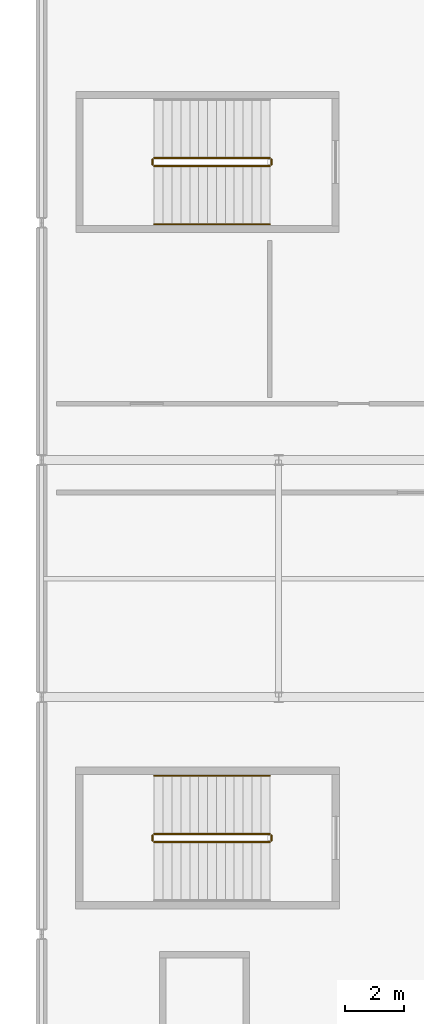
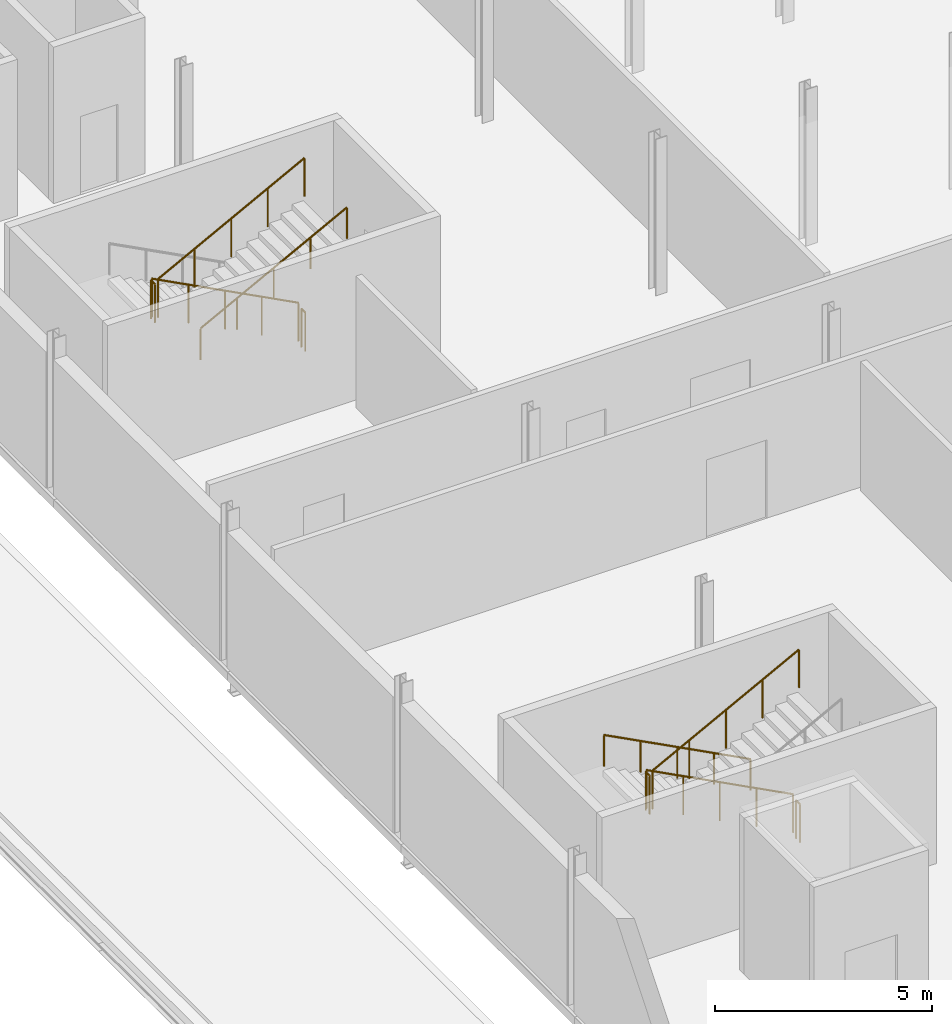
# One storey, part 148 of 153: 10 railings.
"""IFC4 building model written with IfcOpenShell, lengths in metres."""

from ifc_helpers import new_model, si_unit, derived_unit, direction, frame, origin, origin_2d, place, context, subcontext, project, spatial, circle, extrude, material, type_object, element, save


model = new_model("IFC4")

# Units and contexts
model_context = context("Model", 3, precision=1e-05, world=origin(), true_north=direction((0.0, 1.0)))
body_context = subcontext(model_context, "Body", "Model", "MODEL_VIEW")
ifc_project = project(units=[si_unit("LENGTHUNIT", "METRE"), si_unit("AREAUNIT", "SQUARE_METRE"), si_unit("VOLUMEUNIT", "CUBIC_METRE"), si_unit("PLANEANGLEUNIT", "RADIAN"), si_unit("MASSUNIT", "GRAM", prefix="KILO"), derived_unit("THERMALTRANSMITTANCEUNIT", [(si_unit("POWERUNIT", "WATT"), 1), (si_unit("LENGTHUNIT", "METRE"), -2), (si_unit("THERMODYNAMICTEMPERATUREUNIT", "KELVIN"), -1)])], contexts=[model_context])

# Site, building, storey
site_placement = place(None, origin())
site = spatial("IfcSite", under=ifc_project, at=site_placement, CompositionType="ELEMENT")
building_placement = place(site_placement, origin())
building = spatial("IfcBuilding", under=site, at=building_placement, Name="Keldorne Ridge Multi-Sports Centre", CompositionType="ELEMENT")
storey_placement = place(building_placement, frame((0.0, 0.0, 9.60009765625)))
storey = spatial("IfcBuildingStorey", under=building, at=storey_placement, Name="L02", CompositionType="ELEMENT", Elevation=9.60009765625)

# Railings
ifc_material_1 = material(Name="Laminated glass and stainless steel", Category="steel")
railing_type_1 = type_object("IfcRailingType", Name="RLG-BL-01", PredefinedType="BALUSTRADE", material=ifc_material_1)
railing_1_placement = place(storey_placement, frame((111.699951171875, 77.389892578125, 0.156982421875)))
element("IfcRailing", 1, at=railing_1_placement, inside=storey, type_object=railing_type_1, Name="L02 ST-02 stair guard 1", PredefinedType="BALUSTRADE", context=body_context, shape_type="SweptSolid", body=[
    extrude(circle(Radius=0.02392578125, at=origin_2d()), frame((0.0, 0.0, 1.076171875), z_axis=(-0.885816339326, 0.0, 0.464036003974), x_axis=(0.0, -1.0, 0.0)), (0.0, 0.0, 1.0), 4.402587890625),
    extrude(circle(Radius=0.02099609375, at=origin_2d()), origin(), (0.0, 0.0, 1.0), 1.052001953125),
    extrude(circle(Radius=0.02099609375, at=origin_2d()), frame((-0.97509765625, 0.0, 0.5107421875)), (0.0, 0.0, 1.0), 1.052001953125),
    extrude(circle(Radius=0.02099609375, at=origin_2d()), frame((-1.949951171875, 0.0, 1.021484375)), (0.0, 0.0, 1.0), 1.052001953125),
    extrude(circle(Radius=0.02099609375, at=origin_2d()), frame((-2.9248046875, 0.0, 1.5322265625)), (0.0, 0.0, 1.0), 1.052001953125),
    extrude(circle(Radius=0.02099609375, at=origin_2d()), frame((-3.89990234375, 0.0, 2.04296875)), (0.0, 0.0, 1.0), 1.052001953125),
])
railing_2_placement = place(storey_placement, frame((107.75, 77.340087890625, 2.199951171875)))
element("IfcRailing", 2, at=railing_2_placement, inside=storey, type_object=railing_type_1, Name="L02 ST-02 stair guard 2", PredefinedType="BALUSTRADE", context=body_context, shape_type="SweptSolid", body=[
    extrude(circle(Radius=0.02392578125, at=origin_2d()), frame((0.0, 0.0, 1.076171875), z_axis=(0.0, -1.0, 0.0), x_axis=(1.0, 0.0, 0.0)), (0.0, 0.0, 1.0), 0.18017578125),
    extrude(circle(Radius=0.02099609375, at=origin_2d()), origin(), (0.0, 0.0, 1.0), 1.052001953125),
    extrude(circle(Radius=0.02099609375, at=origin_2d()), frame((0.0, -0.18017578125, 0.0)), (0.0, 0.0, 1.0), 1.052001953125),
])
railing_3_placement = place(storey_placement, frame((107.800048828125, 77.110107421875, 2.35693359375)))
element("IfcRailing", 3, at=railing_3_placement, inside=storey, type_object=railing_type_1, Name="L02 ST-02 stair guard 3", PredefinedType="BALUSTRADE", context=body_context, shape_type="SweptSolid", body=[
    extrude(circle(Radius=0.02392578125, at=origin_2d()), frame((0.0, 0.0, 1.076171875), z_axis=(0.885816339326, 0.0, 0.464036003974), x_axis=(0.0, 1.0, 0.0)), (0.0, 0.0, 1.0), 4.402587890625),
    extrude(circle(Radius=0.02099609375, at=origin_2d()), origin(), (0.0, 0.0, 1.0), 1.052001953125),
    extrude(circle(Radius=0.02099609375, at=origin_2d()), frame((0.97509765625, 0.0, 0.5107421875)), (0.0, 0.0, 1.0), 1.052001953125),
    extrude(circle(Radius=0.02099609375, at=origin_2d()), frame((1.949951171875, 0.0, 1.021484375)), (0.0, 0.0, 1.0), 1.052001953125),
    extrude(circle(Radius=0.02099609375, at=origin_2d()), frame((2.9248046875, 0.0, 1.5322265625)), (0.0, 0.0, 1.0), 1.052001953125),
    extrude(circle(Radius=0.02099609375, at=origin_2d()), frame((3.89990234375, 0.0, 2.04296875)), (0.0, 0.0, 1.0), 1.052001953125),
])
railing_4_placement = place(storey_placement, frame((111.75, 77.340087890625, 0.0)))
element("IfcRailing", 4, at=railing_4_placement, inside=storey, type_object=railing_type_1, Name="L02 ST-02 stair guard 4", PredefinedType="BALUSTRADE", context=body_context, shape_type="SweptSolid", body=[
    extrude(circle(Radius=0.02392578125, at=origin_2d()), frame((0.0, 0.0, 1.076171875), z_axis=(0.0, -1.0, 0.0), x_axis=(1.0, 0.0, 0.0)), (0.0, 0.0, 1.0), 0.18017578125),
    extrude(circle(Radius=0.02099609375, at=origin_2d()), origin(), (0.0, 0.0, 1.0), 1.052001953125),
    extrude(circle(Radius=0.02099609375, at=origin_2d()), frame((0.0, -0.18017578125, 0.0)), (0.0, 0.0, 1.0), 1.052001953125),
])
railing_5_placement = place(storey_placement, frame((111.699951171875, 100.18994140625, 0.156982421875)))
element("IfcRailing", 5, at=railing_5_placement, inside=storey, type_object=railing_type_1, Name="L02 ST-11 stair guard 1", PredefinedType="BALUSTRADE", context=body_context, shape_type="SweptSolid", body=[
    extrude(circle(Radius=0.02392578125, at=origin_2d()), frame((0.0, 0.0, 1.076171875), z_axis=(-0.885816339326, 0.0, 0.464036003974), x_axis=(0.0, -1.0, 0.0)), (0.0, 0.0, 1.0), 4.402587890625),
    extrude(circle(Radius=0.02099609375, at=origin_2d()), origin(), (0.0, 0.0, 1.0), 1.052001953125),
    extrude(circle(Radius=0.02099609375, at=origin_2d()), frame((-0.97509765625, 0.0, 0.5107421875)), (0.0, 0.0, 1.0), 1.052001953125),
    extrude(circle(Radius=0.02099609375, at=origin_2d()), frame((-1.949951171875, 0.0, 1.021484375)), (0.0, 0.0, 1.0), 1.052001953125),
    extrude(circle(Radius=0.02099609375, at=origin_2d()), frame((-2.9248046875, 0.0, 1.5322265625)), (0.0, 0.0, 1.0), 1.052001953125),
    extrude(circle(Radius=0.02099609375, at=origin_2d()), frame((-3.89990234375, 0.0, 2.04296875)), (0.0, 0.0, 1.0), 1.052001953125),
])
railing_6_placement = place(storey_placement, frame((107.75, 100.139892578125, 2.199951171875)))
element("IfcRailing", 6, at=railing_6_placement, inside=storey, type_object=railing_type_1, Name="L02 ST-11 stair guard 2", PredefinedType="BALUSTRADE", context=body_context, shape_type="SweptSolid", body=[
    extrude(circle(Radius=0.02392578125, at=origin_2d()), frame((0.0, 0.0, 1.076171875), z_axis=(0.0, -1.0, 0.0), x_axis=(1.0, 0.0, 0.0)), (0.0, 0.0, 1.0), 0.179931640625),
    extrude(circle(Radius=0.02099609375, at=origin_2d()), origin(), (0.0, 0.0, 1.0), 1.052001953125),
    extrude(circle(Radius=0.02099609375, at=origin_2d()), frame((0.0, -0.179931640625, 0.0)), (0.0, 0.0, 1.0), 1.052001953125),
])
railing_7_placement = place(storey_placement, frame((107.800048828125, 99.909912109375, 2.35693359375)))
element("IfcRailing", 7, at=railing_7_placement, inside=storey, type_object=railing_type_1, Name="L02 ST-11 stair guard 3", PredefinedType="BALUSTRADE", context=body_context, shape_type="SweptSolid", body=[
    extrude(circle(Radius=0.02392578125, at=origin_2d()), frame((0.0, 0.0, 1.076171875), z_axis=(0.885816339326, 0.0, 0.464036003974), x_axis=(0.0, 1.0, 0.0)), (0.0, 0.0, 1.0), 4.402587890625),
    extrude(circle(Radius=0.02099609375, at=origin_2d()), origin(), (0.0, 0.0, 1.0), 1.052001953125),
    extrude(circle(Radius=0.02099609375, at=origin_2d()), frame((0.97509765625, 0.0, 0.5107421875)), (0.0, 0.0, 1.0), 1.052001953125),
    extrude(circle(Radius=0.02099609375, at=origin_2d()), frame((1.949951171875, 0.0, 1.021484375)), (0.0, 0.0, 1.0), 1.052001953125),
    extrude(circle(Radius=0.02099609375, at=origin_2d()), frame((2.9248046875, 0.0, 1.5322265625)), (0.0, 0.0, 1.0), 1.052001953125),
    extrude(circle(Radius=0.02099609375, at=origin_2d()), frame((3.89990234375, 0.0, 2.04296875)), (0.0, 0.0, 1.0), 1.052001953125),
])
railing_8_placement = place(storey_placement, frame((111.75, 100.139892578125, 0.0)))
element("IfcRailing", 8, at=railing_8_placement, inside=storey, type_object=railing_type_1, Name="L02 ST-11 stair guard 4", PredefinedType="BALUSTRADE", context=body_context, shape_type="SweptSolid", body=[
    extrude(circle(Radius=0.02392578125, at=origin_2d()), frame((0.0, 0.0, 1.076171875), z_axis=(0.0, -1.0, 0.0), x_axis=(1.0, 0.0, 0.0)), (0.0, 0.0, 1.0), 0.179931640625),
    extrude(circle(Radius=0.02099609375, at=origin_2d()), origin(), (0.0, 0.0, 1.0), 1.052001953125),
    extrude(circle(Radius=0.02099609375, at=origin_2d()), frame((0.0, -0.179931640625, 0.0)), (0.0, 0.0, 1.0), 1.052001953125),
])
ifc_material_2 = material(Name="Stainless steel", Category="steel")
railing_type_2 = type_object("IfcRailingType", Name="RLG-HR-01", PredefinedType="HANDRAIL", material=ifc_material_2)
railing_9_placement = place(storey_placement, frame((111.699951171875, 79.35009765625, 0.156982421875)))
element("IfcRailing", 9, at=railing_9_placement, inside=storey, type_object=railing_type_2, Name="L02 ST-02 stair handrail 1", PredefinedType="HANDRAIL", context=body_context, shape_type="SweptSolid", body=[
    extrude(circle(Radius=0.02392578125, at=origin_2d()), frame((0.0, 0.0, 0.8759765625), z_axis=(-0.885816339326, 0.0, 0.464036003974), x_axis=(0.0, -1.0, 0.0)), (0.0, 0.0, 1.0), 4.402587890625),
    extrude(circle(Radius=0.02099609375, at=origin_2d()), origin(), (0.0, 0.0, 1.0), 0.851806640625),
    extrude(circle(Radius=0.02099609375, at=origin_2d()), frame((-0.97509765625, 0.0, 0.5107421875)), (0.0, 0.0, 1.0), 0.851806640625),
    extrude(circle(Radius=0.02099609375, at=origin_2d()), frame((-1.949951171875, 0.0, 1.021484375)), (0.0, 0.0, 1.0), 0.851806640625),
    extrude(circle(Radius=0.02099609375, at=origin_2d()), frame((-2.9248046875, 0.0, 1.5322265625)), (0.0, 0.0, 1.0), 0.851806640625),
    extrude(circle(Radius=0.02099609375, at=origin_2d()), frame((-3.89990234375, 0.0, 2.04296875)), (0.0, 0.0, 1.0), 0.851806640625),
])
railing_10_placement = place(storey_placement, frame((107.800048828125, 97.949951171875, 2.35693359375)))
element("IfcRailing", 10, at=railing_10_placement, inside=storey, type_object=railing_type_2, Name="L02 ST-11 stair handrail 2", PredefinedType="HANDRAIL", context=body_context, shape_type="SweptSolid", body=[
    extrude(circle(Radius=0.02392578125, at=origin_2d()), frame((0.0, 0.0, 0.8759765625), z_axis=(0.885816339326, 0.0, 0.464036003974), x_axis=(0.0, 1.0, 0.0)), (0.0, 0.0, 1.0), 4.402587890625),
    extrude(circle(Radius=0.02099609375, at=origin_2d()), origin(), (0.0, 0.0, 1.0), 0.851806640625),
    extrude(circle(Radius=0.02099609375, at=origin_2d()), frame((0.97509765625, 0.0, 0.5107421875)), (0.0, 0.0, 1.0), 0.851806640625),
    extrude(circle(Radius=0.02099609375, at=origin_2d()), frame((1.949951171875, 0.0, 1.021484375)), (0.0, 0.0, 1.0), 0.851806640625),
    extrude(circle(Radius=0.02099609375, at=origin_2d()), frame((2.9248046875, 0.0, 1.5322265625)), (0.0, 0.0, 1.0), 0.851806640625),
    extrude(circle(Radius=0.02099609375, at=origin_2d()), frame((3.89990234375, 0.0, 2.04296875)), (0.0, 0.0, 1.0), 0.851806640625),
])

save(model, "model.ifc")
